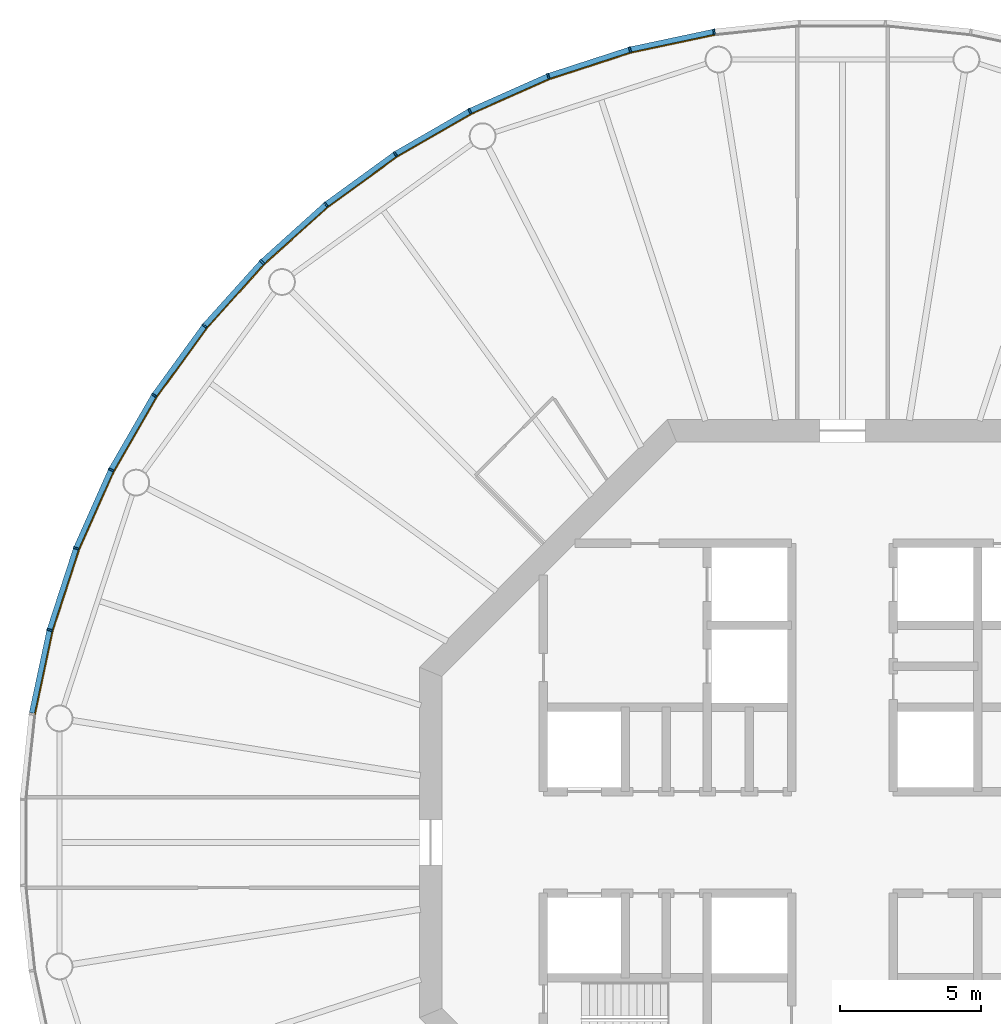
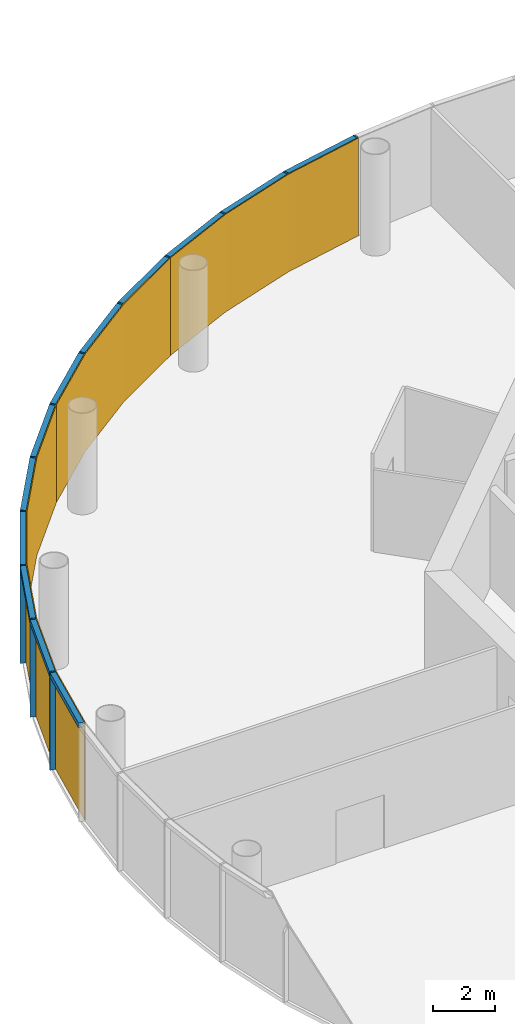
# One storey, part 9 of 12: 24 members, 4 curtain walls.
"""IFC4 building model written with IfcOpenShell, lengths in metres."""

import ifcopenshell
import ifcopenshell.guid

model = None  # the IFC model being written
_history = None  # IfcOwnerHistory: only IFC2X3 demands one
_inside = {}  # id of a spatial element -> (the spatial element, [elements in it])
_under = {}  # id of a project, library or spatial element -> (it, [spatial elements below it])
_declared = {}  # id of a project -> (the project, [libraries it declares])
_typed = {}  # id of a type object -> (the type object, [elements of that type])
_made_of = {}  # id of a material, layer set ... -> (it, [elements and type objects made of it])


def new_model(schema):
    """Start an empty IFC model of exactly this schema.

    Asked for "IFC4X3", IfcOpenShell would pick the latest addendum, in which some entities
    have other attributes; the version numbers below select the first issue.
    IFC2X3 requires an IfcOwnerHistory on every rooted entity: one is made here for all.
    """
    global model, _history
    if schema == "IFC4X3":
        model = ifcopenshell.file(schema_version=(4, 3, 0, 0))
    else:
        model = ifcopenshell.file(schema=schema)
    _inside.clear()
    _under.clear()
    _declared.clear()
    _typed.clear()
    _made_of.clear()
    _history = None
    if model.schema == "IFC2X3":
        org = make("IfcOrganization", Name="unknown")
        user = make(
            "IfcPersonAndOrganization",
            ThePerson=make("IfcPerson", FamilyName="unknown"),
            TheOrganization=org,
        )
        app = make(
            "IfcApplication",
            ApplicationDeveloper=org,
            Version="unknown",
            ApplicationFullName="unknown",
            ApplicationIdentifier="unknown",
        )
        _history = make(
            "IfcOwnerHistory",
            OwningUser=user,
            OwningApplication=app,
            ChangeAction="ADDED",
            CreationDate=0,
        )
    return model


def make(cls, **values):
    """One entity of the class cls with the attributes given. An attribute that is None is left unset."""
    return model.create_entity(
        cls, **{name: value for name, value in values.items() if value is not None}
    )


def rooted(cls, **values):
    """An entity with a GlobalId (a new one), such as an element, a storey or a relation."""
    return make(cls, GlobalId=ifcopenshell.guid.new(), OwnerHistory=_history, **values)


def si_unit(unit_type, name, prefix=None):
    """IfcSIUnit, for example si_unit("LENGTHUNIT", "METRE", prefix="MILLI")."""
    return make("IfcSIUnit", UnitType=unit_type, Prefix=prefix, Name=name)


def assignment(units):
    """IfcUnitAssignment: the units of a project."""
    return None if units is None else make("IfcUnitAssignment", Units=units)


def point(xyz):
    """IfcCartesianPoint."""
    return None if xyz is None else make("IfcCartesianPoint", Coordinates=xyz)


def direction(xyz):
    """IfcDirection."""
    return None if xyz is None else make("IfcDirection", DirectionRatios=xyz)


def frame(location, z_axis=None, x_axis=None):
    """IfcAxis2Placement3D, a coordinate frame: its origin and axes. An axis left out is left unset."""
    return make(
        "IfcAxis2Placement3D",
        Location=point(location),
        Axis=direction(z_axis),
        RefDirection=direction(x_axis),
    )


def frame_2d(location, x_axis=None):
    """IfcAxis2Placement2D, a coordinate frame in the plane: its origin and x axis."""
    return make(
        "IfcAxis2Placement2D", Location=point(location), RefDirection=direction(x_axis)
    )


def origin():
    """The frame at (0, 0, 0) with its axes left unset."""
    return frame((0.0, 0.0, 0.0))


def origin_2d():
    """The frame at (0, 0) in the plane with its x axis left unset."""
    return frame_2d((0.0, 0.0))


def place(relative_to, where):
    """IfcLocalPlacement: puts the frame where relative to a parent placement (None: the world)."""
    return make(
        "IfcLocalPlacement", PlacementRelTo=relative_to, RelativePlacement=where
    )


def context(
    kind, dimensions, precision=None, world=None, true_north=None, identifier=None
):
    """IfcGeometricRepresentationContext, for example the 3D "Model" context."""
    return make(
        "IfcGeometricRepresentationContext",
        ContextIdentifier=identifier,
        ContextType=kind,
        CoordinateSpaceDimension=dimensions,
        Precision=precision,
        WorldCoordinateSystem=world,
        TrueNorth=true_north,
    )


def subcontext(parent, identifier, kind, view, scale=None):
    """IfcGeometricRepresentationSubContext, for example "Body" below "Model"."""
    return make(
        "IfcGeometricRepresentationSubContext",
        ContextIdentifier=identifier,
        ContextType=kind,
        ParentContext=parent,
        TargetScale=scale,
        TargetView=view,
    )


def project(units=None, contexts=None):
    """IfcProject with its units and contexts."""
    return rooted(
        "IfcProject",
        Name="project",
        RepresentationContexts=contexts,
        UnitsInContext=assignment(units),
    )


def spatial(cls, under=None, at=None, **own):
    """A site, building, storey or space (cls), placed at a placement, below another one or the project."""
    s = rooted(cls, ObjectPlacement=at, **own)
    if under is not None:
        _under.setdefault(under.id(), (under, []))[1].append(s)
    return s


def polyline(points):
    """IfcPolyline through the points."""
    return make("IfcPolyline", Points=[point(p) for p in points])


def profile(cls, at=None, kind="AREA", **sizes):
    """A parametric profile (cls). Its sizes go by their IFC names, for example OverallWidth=200.0."""
    return make(cls, ProfileType=kind, Position=at, **sizes)


def rectangle(**sizes):
    """IfcRectangleProfileDef."""
    return profile("IfcRectangleProfileDef", **sizes)


def outline(outer, holes=None, kind="AREA"):
    """IfcArbitraryClosedProfileDef: a profile drawn as a closed curve; with holes, ...WithVoids."""
    if holes is None:
        return make("IfcArbitraryClosedProfileDef", ProfileType=kind, OuterCurve=outer)
    return make(
        "IfcArbitraryProfileDefWithVoids",
        ProfileType=kind,
        OuterCurve=outer,
        InnerCurves=holes,
    )


def extrude(swept, where, along, depth):
    """IfcExtrudedAreaSolid: the profile swept, set in the frame where, extruded along a direction by depth."""
    return make(
        "IfcExtrudedAreaSolid",
        SweptArea=swept,
        Position=where,
        ExtrudedDirection=direction(along),
        Depth=depth,
    )


def shape(context_of_items, identifier, shape_type, items):
    """IfcShapeRepresentation: the items that make up one representation, for example the "Body"."""
    return make(
        "IfcShapeRepresentation",
        ContextOfItems=context_of_items,
        RepresentationIdentifier=identifier,
        RepresentationType=shape_type,
        Items=items,
    )


def material(Name=None, Category=None):
    """IfcMaterial."""
    return make("IfcMaterial", Name=Name, Category=Category)


def layer(
    of_material, thickness, ventilated=None, Name=None, Category=None, Priority=None
):
    """IfcMaterialLayer: one layer of a wall or slab, of a material (None: an air gap)."""
    return make(
        "IfcMaterialLayer",
        Material=of_material,
        LayerThickness=thickness,
        IsVentilated=ventilated,
        Name=Name,
        Category=Category,
        Priority=Priority,
    )


def layer_set(layers, Name=None):
    """IfcMaterialLayerSet."""
    return make("IfcMaterialLayerSet", MaterialLayers=layers, LayerSetName=Name)


def material_profile(
    of_material, cross_section, Name=None, Category=None, Priority=None
):
    """IfcMaterialProfile: a cross section and its material."""
    return make(
        "IfcMaterialProfile",
        Name=Name,
        Material=of_material,
        Profile=cross_section,
        Priority=Priority,
        Category=Category,
    )


def profile_set(profiles, Name=None, composite=None):
    """IfcMaterialProfileSet."""
    return make(
        "IfcMaterialProfileSet",
        Name=Name,
        MaterialProfiles=profiles,
        CompositeProfile=composite,
    )


def made_of(thing, what):
    """Note that an element or type object is made of a material, layer set ...; save() writes the relation."""
    if what is not None:
        _made_of.setdefault(what.id(), (what, []))[1].append(thing)
    return thing


def type_object(cls, material=None, **own):
    """A type object (cls), such as IfcWallType, which elements share."""
    return made_of(rooted(cls, **own), material)


def element(
    cls,
    number,
    at=None,
    inside=None,
    cuts=None,
    type_object=None,
    material=None,
    context=None,
    identifier="Body",
    shape_type=None,
    held_by="IfcProductDefinitionShape",
    body=None,
    shapes=None,
    **own,
):
    """One element of the class cls, such as IfcWall. Its Tag is "e" and its number.

    at: its placement. inside: the storey or other place that contains it. cuts: it is an
    opening in that element (IfcRelVoidsElement). A single representation is given by context,
    identifier, shape_type and body (its items); several are given by shapes. held_by: the class
    of the entity that holds the representations. save() writes the other relations.
    """
    e = rooted(cls, Tag="e%d" % number, ObjectPlacement=at, **own)
    if body is not None:
        shapes = [shape(context, identifier, shape_type, body)]
    if shapes is not None:
        e.Representation = make(held_by, Representations=shapes)
    if inside is not None:
        _inside.setdefault(inside.id(), (inside, []))[1].append(e)
    if cuts is not None:
        rooted(
            "IfcRelVoidsElement", RelatingBuildingElement=cuts, RelatedOpeningElement=e
        )
    if type_object is not None:
        _typed.setdefault(type_object.id(), (type_object, []))[1].append(e)
    return made_of(e, material)


def aggregate(whole, parts):
    """IfcRelAggregates: a whole, such as a stair, and the parts it consists of."""
    return rooted("IfcRelAggregates", RelatingObject=whole, RelatedObjects=parts)


def save(model, path):
    """Write the relations noted so far, then the file.

    IfcRelAggregates (storeys below a building ...), IfcRelContainedInSpatialStructure (elements
    in a storey), IfcRelDefinesByType, IfcRelAssociatesMaterial and IfcRelDeclares: one each for
    every whole, place, type object, material and project.
    """
    for whole, parts in _under.values():
        aggregate(whole, parts)
    for where, things in _inside.values():
        rooted(
            "IfcRelContainedInSpatialStructure",
            RelatedElements=things,
            RelatingStructure=where,
        )
    for kind, things in _typed.values():
        rooted("IfcRelDefinesByType", RelatedObjects=things, RelatingType=kind)
    for what, things in _made_of.values():
        rooted("IfcRelAssociatesMaterial", RelatedObjects=things, RelatingMaterial=what)
    for by, libraries in _declared.values():
        rooted("IfcRelDeclares", RelatingContext=by, RelatedDefinitions=libraries)
    model.write(path)


model = new_model("IFC4")

# Units and contexts
model_context = context("Model", 3, precision=1e-05, world=origin(), true_north=direction((0.0, 1.0)))
body_context = subcontext(model_context, "Body", "Model", "MODEL_VIEW")
ifc_project = project(units=[si_unit("LENGTHUNIT", "METRE"), si_unit("AREAUNIT", "SQUARE_METRE"), si_unit("VOLUMEUNIT", "CUBIC_METRE"), si_unit("PLANEANGLEUNIT", "RADIAN"), si_unit("MASSUNIT", "GRAM", prefix="KILO")], contexts=[model_context])

# Member
ifc_material_1 = material(Name="Anodised aluminium", Category="aluminium")
ifc_material_profile_1 = material_profile(ifc_material_1, rectangle(XDim=0.06494140625, YDim=0.195068359375, at=origin_2d()), Name="Mullion 65 x 195 mm anodised aluminium")
ifc_profile_set_1 = profile_set([ifc_material_profile_1], Name="Anodised aluminium")
member_type_1 = type_object("IfcMemberType", Name="Mullion 65 x 195 mm anodised aluminium", PredefinedType="MULLION", material=ifc_profile_set_1)
site_placement = place(None, origin())
building_placement = place(site_placement, origin())
storey_placement = place(building_placement, frame((0.0, 0.0, 322.0)))
member_1_placement = place(storey_placement, frame((85.4482421875, 108.7392578125, 0.0), z_axis=(0.0, 0.0, 1.0), x_axis=(-0.987688340595, -0.15643446504, 0.0)))
member_1 = element("IfcMember", 1, at=member_1_placement, type_object=member_type_1, Name="MULLION L74-15", PredefinedType="MULLION", context=body_context, shape_type="SweptSolid", body=[
    extrude(rectangle(XDim=0.06494140625, YDim=0.195068359375, at=origin_2d()), origin(), (0.0, 0.0, 1.0), 3.85009765625),
])

member_2_placement = place(storey_placement, frame((82.468994140625, 108.10595703125, 0.0), z_axis=(0.0, 0.0, 1.0), x_axis=(-0.965925826289, -0.258819045103, 0.0)))
member_2 = element("IfcMember", 2, at=member_2_placement, type_object=member_type_1, Name="MULLION L74-16", PredefinedType="MULLION", context=body_context, shape_type="SweptSolid", body=[
    extrude(rectangle(XDim=0.06494140625, YDim=0.195068359375, at=origin_2d()), origin(), (0.0, 0.0, 1.0), 3.85009765625),
])

member_3_placement = place(storey_placement, frame((79.572509765625, 107.164794921875, 0.0), z_axis=(0.0, 0.0, 1.0), x_axis=(-0.933580426497, -0.358367949545, 0.0)))
member_3 = element("IfcMember", 3, at=member_3_placement, type_object=member_type_1, Name="MULLION L74-17", PredefinedType="MULLION", context=body_context, shape_type="SweptSolid", body=[
    extrude(rectangle(XDim=0.06494140625, YDim=0.195068359375, at=origin_2d()), origin(), (0.0, 0.0, 1.0), 3.85009765625),
])

member_4_placement = place(storey_placement, frame((76.7900390625, 105.926025390625, 0.0), z_axis=(0.0, 0.0, 1.0), x_axis=(-0.891006524188, -0.45399049974, 0.0)))
member_4 = element("IfcMember", 4, at=member_4_placement, type_object=member_type_1, Name="MULLION L74-18", PredefinedType="MULLION", context=body_context, shape_type="SweptSolid", body=[
    extrude(rectangle(XDim=0.06494140625, YDim=0.195068359375, at=origin_2d()), origin(), (0.0, 0.0, 1.0), 3.85009765625),
])

member_5_placement = place(storey_placement, frame((74.15234375, 104.4033203125, 0.0), z_axis=(0.0, 0.0, 1.0), x_axis=(-0.838670567945, -0.544639035015, 0.0)))
member_5 = element("IfcMember", 5, at=member_5_placement, type_object=member_type_1, Name="MULLION L74-19", PredefinedType="MULLION", context=body_context, shape_type="SweptSolid", body=[
    extrude(rectangle(XDim=0.06494140625, YDim=0.195068359375, at=origin_2d()), origin(), (0.0, 0.0, 1.0), 3.85009765625),
])

member_6_placement = place(storey_placement, frame((71.688232421875, 102.613037109375, 0.0), z_axis=(0.0, 0.0, 1.0), x_axis=(-0.777145961457, -0.62932039105, 0.0)))
member_6 = element("IfcMember", 6, at=member_6_placement, type_object=member_type_1, Name="MULLION L74-20", PredefinedType="MULLION", context=body_context, shape_type="SweptSolid", body=[
    extrude(rectangle(XDim=0.06494140625, YDim=0.195068359375, at=origin_2d()), origin(), (0.0, 0.0, 1.0), 3.85009765625),
])

member_7_placement = place(storey_placement, frame((69.425048828125, 100.574951171875, 0.0), z_axis=(0.0, 0.0, 1.0), x_axis=(-0.707106781187, -0.707106781187, 0.0)))
member_7 = element("IfcMember", 7, at=member_7_placement, type_object=member_type_1, Name="MULLION L74-21", PredefinedType="MULLION", context=body_context, shape_type="SweptSolid", body=[
    extrude(rectangle(XDim=0.06494140625, YDim=0.195068359375, at=origin_2d()), origin(), (0.0, 0.0, 1.0), 3.85009765625),
])

member_8_placement = place(storey_placement, frame((67.386962890625, 98.311767578125, 0.0), z_axis=(0.0, 0.0, 1.0), x_axis=(-0.62932039105, -0.777145961457, 0.0)))
member_8 = element("IfcMember", 8, at=member_8_placement, type_object=member_type_1, Name="MULLION L74-22", PredefinedType="MULLION", context=body_context, shape_type="SweptSolid", body=[
    extrude(rectangle(XDim=0.06494140625, YDim=0.195068359375, at=origin_2d()), origin(), (0.0, 0.0, 1.0), 3.85009765625),
])

member_9_placement = place(storey_placement, frame((65.5966796875, 95.84765625, 0.0), z_axis=(0.0, 0.0, 1.0), x_axis=(-0.544639035015, -0.838670567945, 0.0)))
member_9 = element("IfcMember", 9, at=member_9_placement, type_object=member_type_1, Name="MULLION L74-23", PredefinedType="MULLION", context=body_context, shape_type="SweptSolid", body=[
    extrude(rectangle(XDim=0.06494140625, YDim=0.195068359375, at=origin_2d()), origin(), (0.0, 0.0, 1.0), 3.85009765625),
])

member_10_placement = place(storey_placement, frame((64.073974609375, 93.2099609375, 0.0), z_axis=(0.0, 0.0, 1.0), x_axis=(-0.45399049974, -0.891006524188, 0.0)))
member_10 = element("IfcMember", 10, at=member_10_placement, type_object=member_type_1, Name="MULLION L74-24", PredefinedType="MULLION", context=body_context, shape_type="SweptSolid", body=[
    extrude(rectangle(XDim=0.06494140625, YDim=0.195068359375, at=origin_2d()), origin(), (0.0, 0.0, 1.0), 3.85009765625),
])

member_11_placement = place(storey_placement, frame((62.835205078125, 90.427490234375, 0.0), z_axis=(0.0, 0.0, 1.0), x_axis=(-0.358367949545, -0.933580426497, 0.0)))
member_11 = element("IfcMember", 11, at=member_11_placement, type_object=member_type_1, Name="MULLION L74-25", PredefinedType="MULLION", context=body_context, shape_type="SweptSolid", body=[
    extrude(rectangle(XDim=0.06494140625, YDim=0.195068359375, at=origin_2d()), origin(), (0.0, 0.0, 1.0), 3.85009765625),
])

member_12_placement = place(storey_placement, frame((61.89404296875, 87.531005859375, 0.0), z_axis=(0.0, 0.0, 1.0), x_axis=(-0.258819045103, -0.965925826289, 0.0)))
member_12 = element("IfcMember", 12, at=member_12_placement, type_object=member_type_1, Name="MULLION L74-26", PredefinedType="MULLION", context=body_context, shape_type="SweptSolid", body=[
    extrude(rectangle(XDim=0.06494140625, YDim=0.195068359375, at=origin_2d()), origin(), (0.0, 0.0, 1.0), 3.85009765625),
])

ifc_material_2 = material(Name="Anodised aluminium", Category="aluminium")
ifc_material_profile_2 = material_profile(ifc_material_2, rectangle(XDim=0.195068359375, YDim=0.179931640625, at=origin_2d()), Name="Transom 180 x 195 mm anodised aluminium")
ifc_profile_set_2 = profile_set([ifc_material_profile_2], Name="Anodised aluminium")
member_type_2 = type_object("IfcMemberType", Name="Transom 180 x 195 mm anodised aluminium", PredefinedType="USERDEFINED", material=ifc_profile_set_2)
member_13_placement = place(storey_placement, frame((85.411376953125, 108.731689453125, 3.760009765625), z_axis=(-0.978141510112, -0.207940342877, 0.0), x_axis=(0.207940342877, -0.978141510112, 0.0)))
member_13 = element("IfcMember", 13, at=member_13_placement, type_object=member_type_2, Name="TRANSOM L74-15", ObjectType="TRANSOM", PredefinedType="USERDEFINED", context=body_context, shape_type="SweptSolid", body=[
    extrude(rectangle(XDim=0.195068359375, YDim=0.179931640625, at=origin_2d()), origin(), (0.0, 0.0, 1.0), 2.970458984375),
])

member_14_placement = place(storey_placement, frame((82.43310546875, 108.094482421875, 3.760009765625), z_axis=(-0.951047960094, -0.309043326415, 0.0), x_axis=(0.309043326415, -0.951047960094, 0.0)))
member_14 = element("IfcMember", 14, at=member_14_placement, type_object=member_type_2, Name="TRANSOM L74-16", ObjectType="TRANSOM", PredefinedType="USERDEFINED", context=body_context, shape_type="SweptSolid", body=[
    extrude(rectangle(XDim=0.195068359375, YDim=0.179931640625, at=origin_2d()), origin(), (0.0, 0.0, 1.0), 2.970458984375),
])

member_15_placement = place(storey_placement, frame((79.5380859375, 107.149658203125, 3.760009765625), z_axis=(-0.913550406593, -0.406725527369, 0.0), x_axis=(0.406725527369, -0.913550406593, 0.0)))
member_15 = element("IfcMember", 15, at=member_15_placement, type_object=member_type_2, Name="TRANSOM L74-17", ObjectType="TRANSOM", PredefinedType="USERDEFINED", context=body_context, shape_type="SweptSolid", body=[
    extrude(rectangle(XDim=0.195068359375, YDim=0.179931640625, at=origin_2d()), origin(), (0.0, 0.0, 1.0), 2.970703125),
])

member_16_placement = place(storey_placement, frame((76.75732421875, 105.907470703125, 3.760009765625), z_axis=(-0.866009025146, -0.500028367561, 0.0), x_axis=(0.500028367561, -0.866009025146, 0.0)))
member_16 = element("IfcMember", 16, at=member_16_placement, type_object=member_type_2, Name="TRANSOM L74-18", ObjectType="TRANSOM", PredefinedType="USERDEFINED", context=body_context, shape_type="SweptSolid", body=[
    extrude(rectangle(XDim=0.195068359375, YDim=0.179931640625, at=origin_2d()), origin(), (0.0, 0.0, 1.0), 2.970458984375),
])

member_17_placement = place(storey_placement, frame((74.121826171875, 104.381103515625, 3.760009765625), z_axis=(-0.809030990733, -0.587765987476, 0.0), x_axis=(0.587765987476, -0.809030990733, 0.0)))
member_17 = element("IfcMember", 17, at=member_17_placement, type_object=member_type_2, Name="TRANSOM L74-19", ObjectType="TRANSOM", PredefinedType="USERDEFINED", context=body_context, shape_type="SweptSolid", body=[
    extrude(rectangle(XDim=0.195068359375, YDim=0.179931640625, at=origin_2d()), origin(), (0.0, 0.0, 1.0), 2.97021484375),
])

member_18_placement = place(storey_placement, frame((71.660400390625, 102.587890625, 3.760009765625), z_axis=(-0.743163354343, -0.669110027395, 0.0), x_axis=(0.669110027395, -0.743163354343, 0.0)))
member_18 = element("IfcMember", 18, at=member_18_placement, type_object=member_type_2, Name="TRANSOM L74-20", ObjectType="TRANSOM", PredefinedType="USERDEFINED", context=body_context, shape_type="SweptSolid", body=[
    extrude(rectangle(XDim=0.195068359375, YDim=0.179931640625, at=origin_2d()), origin(), (0.0, 0.0, 1.0), 2.970458984375),
])

member_19_placement = place(storey_placement, frame((69.399658203125, 100.547119140625, 3.760009765625), z_axis=(-0.669110027395, -0.743163354343, 0.0), x_axis=(0.743163354343, -0.669110027395, 0.0)))
member_19 = element("IfcMember", 19, at=member_19_placement, type_object=member_type_2, Name="TRANSOM L74-21", ObjectType="TRANSOM", PredefinedType="USERDEFINED", context=body_context, shape_type="SweptSolid", body=[
    extrude(rectangle(XDim=0.195068359375, YDim=0.179931640625, at=origin_2d()), origin(), (0.0, 0.0, 1.0), 2.970458984375),
])

member_20_placement = place(storey_placement, frame((67.36474609375, 98.28125, 3.760009765625), z_axis=(-0.587765987476, -0.809030990733, 0.0), x_axis=(0.809030990733, -0.587765987476, 0.0)))
member_20 = element("IfcMember", 20, at=member_20_placement, type_object=member_type_2, Name="TRANSOM L74-22", ObjectType="TRANSOM", PredefinedType="USERDEFINED", context=body_context, shape_type="SweptSolid", body=[
    extrude(rectangle(XDim=0.195068359375, YDim=0.179931640625, at=origin_2d()), origin(), (0.0, 0.0, 1.0), 2.97021484375),
])

member_21_placement = place(storey_placement, frame((65.577880859375, 95.815185546875, 3.760009765625), z_axis=(-0.500028367561, -0.866009025146, 0.0), x_axis=(0.866009025146, -0.500028367561, 0.0)))
member_21 = element("IfcMember", 21, at=member_21_placement, type_object=member_type_2, Name="TRANSOM L74-23", ObjectType="TRANSOM", PredefinedType="USERDEFINED", context=body_context, shape_type="SweptSolid", body=[
    extrude(rectangle(XDim=0.195068359375, YDim=0.179931640625, at=origin_2d()), origin(), (0.0, 0.0, 1.0), 2.970458984375),
])

member_22_placement = place(storey_placement, frame((64.05859375, 93.17578125, 3.760009765625), z_axis=(-0.406725527369, -0.913550406593, 0.0), x_axis=(0.913550406593, -0.406725527369, 0.0)))
member_22 = element("IfcMember", 22, at=member_22_placement, type_object=member_type_2, Name="TRANSOM L74-24", ObjectType="TRANSOM", PredefinedType="USERDEFINED", context=body_context, shape_type="SweptSolid", body=[
    extrude(rectangle(XDim=0.195068359375, YDim=0.179931640625, at=origin_2d()), origin(), (0.0, 0.0, 1.0), 2.970703125),
])

member_23_placement = place(storey_placement, frame((62.823486328125, 90.391845703125, 3.760009765625), z_axis=(-0.309043326415, -0.951047960094, 0.0), x_axis=(0.951047960094, -0.309043326415, 0.0)))
member_23 = element("IfcMember", 23, at=member_23_placement, type_object=member_type_2, Name="TRANSOM L74-25", ObjectType="TRANSOM", PredefinedType="USERDEFINED", context=body_context, shape_type="SweptSolid", body=[
    extrude(rectangle(XDim=0.195068359375, YDim=0.179931640625, at=origin_2d()), origin(), (0.0, 0.0, 1.0), 2.970458984375),
])

member_24_placement = place(storey_placement, frame((61.885986328125, 87.494140625, 3.760009765625), z_axis=(-0.207940342877, -0.978141510112, 0.0), x_axis=(0.978141510112, -0.207940342877, 0.0)))
member_24 = element("IfcMember", 24, at=member_24_placement, type_object=member_type_2, Name="TRANSOM L74-26", ObjectType="TRANSOM", PredefinedType="USERDEFINED", context=body_context, shape_type="SweptSolid", body=[
    extrude(rectangle(XDim=0.195068359375, YDim=0.179931640625, at=origin_2d()), origin(), (0.0, 0.0, 1.0), 2.970458984375),
])

# Site, building, storey
site = spatial("IfcSite", under=ifc_project, at=site_placement, CompositionType="ELEMENT")
building = spatial("IfcBuilding", under=site, at=building_placement, Name="Entoto Ring Tower", CompositionType="ELEMENT")
storey = spatial("IfcBuildingStorey", under=building, at=storey_placement, Name="L74", CompositionType="ELEMENT", Elevation=322.0)

# Curtain wall
ifc_material_3 = material(Name="Clear low-iron glass", Category="glass")
ifc_layer = layer(ifc_material_3, 0.033935546875)
ifc_layer_set = layer_set([ifc_layer], Name="Clear low-iron glass")
curtain_wall_type = type_object("IfcCurtainWallType", Name="Curtain wall system CW5 glazing 34 mm", PredefinedType="NOTDEFINED", material=ifc_layer_set)
curtain_wall_1_placement = place(storey_placement, origin())
curtain_wall_1 = element("IfcCurtainWall", 25, at=curtain_wall_1_placement, inside=storey, type_object=curtain_wall_type, Name="CW5 L74-06", PredefinedType="NOTDEFINED", context=body_context, shape_type="SweptSolid", body=[
    extrude(outline(polyline([(85.46337890625, 108.64306640625), (82.494140625, 108.011962890625), (79.607421875, 107.07373046875), (76.834228515625, 105.839111328125), (76.849853515625, 105.808837890625), (79.61962890625, 107.0419921875), (82.503173828125, 107.97900390625), (85.46875, 108.609375), (85.46337890625, 108.64306640625)])), origin(), (0.0, 0.0, 1.0), 3.85009765625),
])

aggregate(curtain_wall_1, [member_1, member_2, member_3, member_13, member_14, member_15])

curtain_wall_2_placement = place(storey_placement, origin())
curtain_wall_2 = element("IfcCurtainWall", 26, at=curtain_wall_2_placement, inside=storey, type_object=curtain_wall_type, Name="CW5 L74-07", PredefinedType="NOTDEFINED", context=body_context, shape_type="SweptSolid", body=[
    extrude(outline(polyline([(76.834228515625, 105.839111328125), (74.20556640625, 104.321533203125), (71.749755859375, 102.537353515625), (69.493896484375, 100.506103515625), (69.51806640625, 100.48193359375), (71.771240234375, 102.5107421875), (74.22412109375, 104.29296875), (76.849853515625, 105.808837890625), (76.834228515625, 105.839111328125)])), origin(), (0.0, 0.0, 1.0), 3.85009765625),
])

aggregate(curtain_wall_2, [member_4, member_5, member_6, member_16, member_17, member_18])

curtain_wall_3_placement = place(storey_placement, origin())
curtain_wall_3 = element("IfcCurtainWall", 27, at=curtain_wall_3_placement, inside=storey, type_object=curtain_wall_type, Name="CW5 L74-08", PredefinedType="NOTDEFINED", context=body_context, shape_type="SweptSolid", body=[
    extrude(outline(polyline([(69.493896484375, 100.506103515625), (67.462646484375, 98.250244140625), (65.678466796875, 95.79443359375), (64.160888671875, 93.165771484375), (64.191162109375, 93.150146484375), (65.70703125, 95.77587890625), (67.4892578125, 98.228759765625), (69.51806640625, 100.48193359375), (69.493896484375, 100.506103515625)])), origin(), (0.0, 0.0, 1.0), 3.85009765625),
])

aggregate(curtain_wall_3, [member_7, member_8, member_9, member_19, member_20, member_21])

curtain_wall_4_placement = place(storey_placement, origin())
curtain_wall_4 = element("IfcCurtainWall", 28, at=curtain_wall_4_placement, inside=storey, type_object=curtain_wall_type, Name="CW5 L74-09", PredefinedType="NOTDEFINED", context=body_context, shape_type="SweptSolid", body=[
    extrude(outline(polyline([(64.160888671875, 93.165771484375), (62.92626953125, 90.392578125), (61.988037109375, 87.505859375), (61.35693359375, 84.53662109375), (61.390625, 84.53125), (62.02099609375, 87.496826171875), (62.9580078125, 90.38037109375), (64.191162109375, 93.150146484375), (64.160888671875, 93.165771484375)])), origin(), (0.0, 0.0, 1.0), 3.85009765625),
])

aggregate(curtain_wall_4, [member_10, member_11, member_12, member_22, member_23, member_24])

save(model, "model.ifc")
